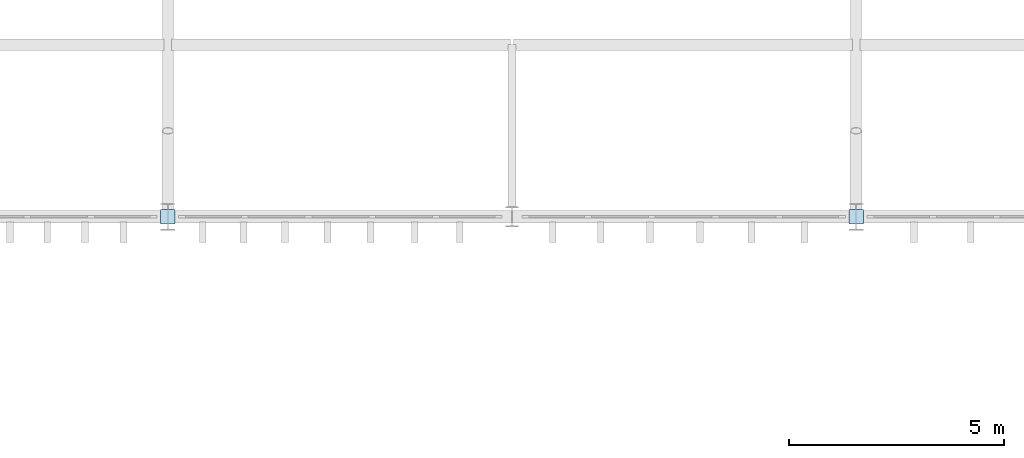
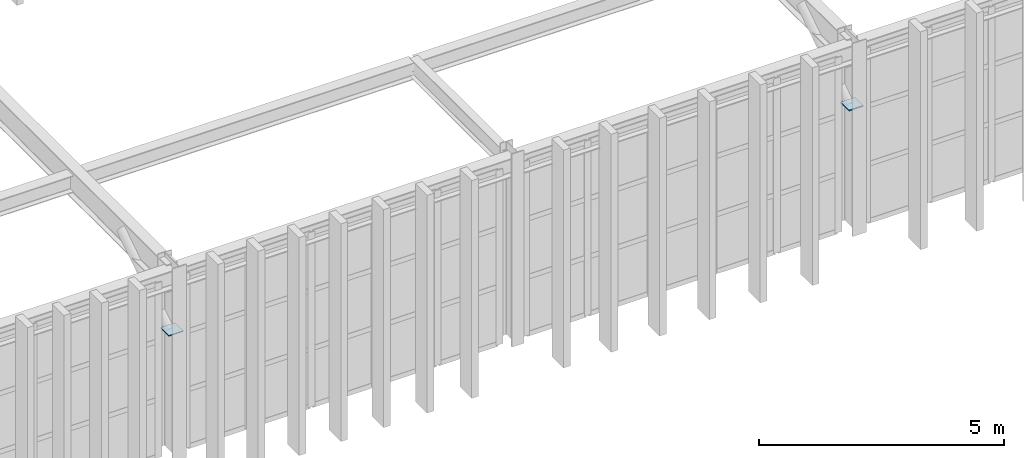
# One storey, part 46 of 61: 2 plates.
"""IFC4 building model written with IfcOpenShell, lengths in metres."""

from ifc_helpers import new_model, si_unit, direction, frame, origin, origin_2d, place, context, subcontext, project, spatial, rectangle, extrude, material, layer, layer_set, type_object, element, save


model = new_model("IFC4")

# Units and contexts
model_context = context("Model", 3, precision=1e-05, world=origin(), true_north=direction((0.0, 1.0)))
body_context = subcontext(model_context, "Body", "Model", "MODEL_VIEW")
ifc_project = project(units=[si_unit("LENGTHUNIT", "METRE"), si_unit("AREAUNIT", "SQUARE_METRE"), si_unit("VOLUMEUNIT", "CUBIC_METRE"), si_unit("PLANEANGLEUNIT", "RADIAN"), si_unit("MASSUNIT", "GRAM", prefix="KILO")], contexts=[model_context])

# Site, building, storey
site_placement = place(None, origin())
site = spatial("IfcSite", under=ifc_project, at=site_placement, CompositionType="ELEMENT")
building_placement = place(site_placement, origin())
building = spatial("IfcBuilding", under=site, at=building_placement, Name="Serraluz Foothill Cableway Terminal", CompositionType="ELEMENT")
storey_placement = place(building_placement, frame((0.0, 0.0, 15.0)))
storey = spatial("IfcBuildingStorey", under=building, at=storey_placement, Name="L03", CompositionType="ELEMENT", Elevation=15.0)

# Plates
ifc_material = material(Name="Steel ASTM A572 Grade 50", Category="steel")
ifc_layer_1 = layer(ifc_material, 0.02001953125, Name="Steel ASTM A572 Grade 50", Category="steel")
ifc_layer_set_1 = layer_set([ifc_layer_1], Name="Steel ASTM A572 Grade 50")
plate_type_1 = type_object("IfcPlateType", Name="TYP-PL-GUS-20", PredefinedType="USERDEFINED", material=ifc_layer_set_1)
plate_1_placement = place(storey_placement, frame((104.0, 56.0, 3.0400390625), z_axis=(0.0, 0.0, 1.0), x_axis=(1.0, 0.0, 0.0)))
element("IfcPlate", 1, at=plate_1_placement, inside=storey, type_object=plate_type_1, Name="Brace End Gusset Plate PL-END-0054", ObjectType="GUSSET_PLATE", PredefinedType="USERDEFINED", context=body_context, shape_type="SweptSolid", body=[
    extrude(rectangle(XDim=0.340087890625, YDim=0.340087890625, at=origin_2d()), origin(), (0.0, 0.0, 1.0), 0.02001953125),
])
ifc_layer_2 = layer(ifc_material, 0.030029296875, Name="Steel ASTM A572 Grade 50", Category="steel")
ifc_layer_set_2 = layer_set([ifc_layer_2], Name="Steel ASTM A572 Grade 50")
plate_type_2 = type_object("IfcPlateType", Name="TYP-PL-GUS-30", PredefinedType="USERDEFINED", material=ifc_layer_set_2)
plate_2_placement = place(storey_placement, frame((120.0, 56.0, 3.03515625), z_axis=(0.0, 0.0, 1.0), x_axis=(1.0, 0.0, 0.0)))
element("IfcPlate", 2, at=plate_2_placement, inside=storey, type_object=plate_type_2, Name="Brace End Gusset Plate PL-END-0065", ObjectType="GUSSET_PLATE", PredefinedType="USERDEFINED", context=body_context, shape_type="SweptSolid", body=[
    extrude(rectangle(XDim=0.340087890625, YDim=0.340087890625, at=origin_2d()), origin(), (0.0, 0.0, 1.0), 0.030029296875),
])

save(model, "model.ifc")
